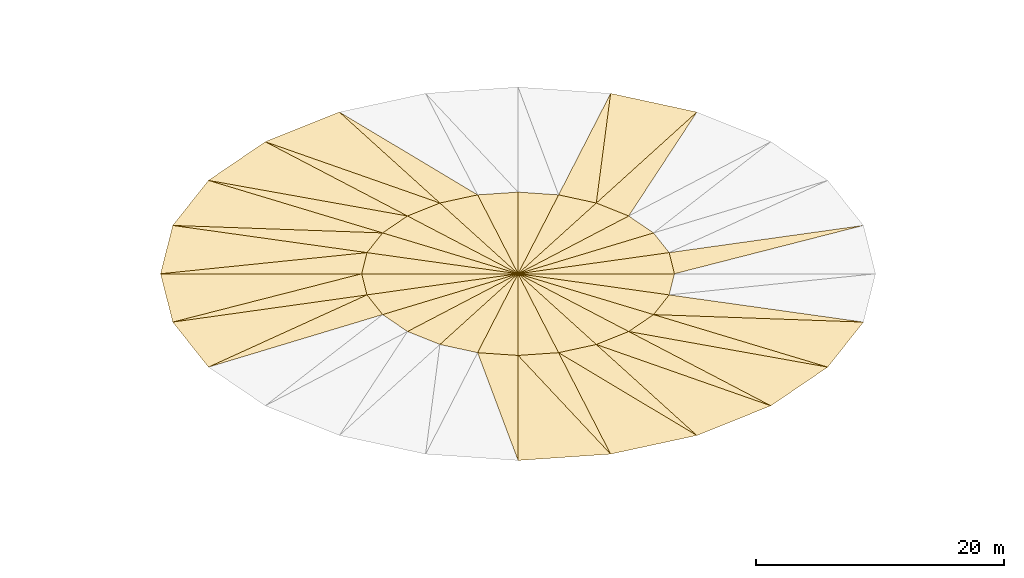
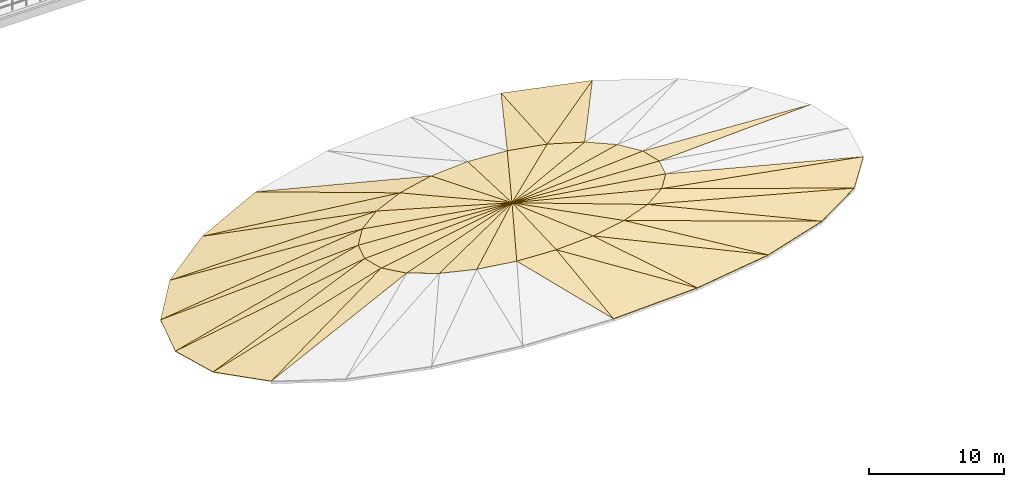
# One storey, part 49 of 50: 52 coverings.
"""IFC4 building model written with IfcOpenShell, lengths in metres."""

from ifc_helpers import new_model, si_unit, derived_unit, direction, frame, origin, place, context, subcontext, project, spatial, polygons, material, layer, layer_set, type_object, element, save


model = new_model("IFC4")

# Units and contexts
model_context = context("Model", 3, precision=1e-05, world=origin(), true_north=direction((0.0, 1.0)))
body_context = subcontext(model_context, "Body", "Model", "MODEL_VIEW")
ifc_project = project(units=[si_unit("LENGTHUNIT", "METRE"), si_unit("AREAUNIT", "SQUARE_METRE"), si_unit("VOLUMEUNIT", "CUBIC_METRE"), si_unit("PLANEANGLEUNIT", "RADIAN"), si_unit("MASSUNIT", "GRAM", prefix="KILO"), si_unit("THERMODYNAMICTEMPERATUREUNIT", "KELVIN"), derived_unit("THERMALTRANSMITTANCEUNIT", [(si_unit("POWERUNIT", "WATT"), 1), (si_unit("AREAUNIT", "SQUARE_METRE"), -1), (si_unit("THERMODYNAMICTEMPERATUREUNIT", "KELVIN"), -1)])], contexts=[model_context])

# Site, building, storey
site_placement = place(None, origin())
site = spatial("IfcSite", under=ifc_project, at=site_placement, CompositionType="ELEMENT")
building_placement = place(site_placement, origin())
building = spatial("IfcBuilding", under=site, at=building_placement, Name="Haiyu Intermodal Mobility Hub", CompositionType="ELEMENT")
storey_placement = place(building_placement, frame((0.0, 0.0, 25.10009765625)))
storey = spatial("IfcBuildingStorey", under=building, at=storey_placement, Name="L06", CompositionType="ELEMENT", Elevation=25.10009765625)

# Coverings
ifc_material = material(Name="PTFE tensile membrane")
ifc_layer = layer(ifc_material, 0.050048828125)
ifc_layer_set = layer_set([ifc_layer], Name="PTFE tensile membrane")
covering_type = type_object("IfcCoveringType", Name="COV-CV03", PredefinedType="ROOFING", material=ifc_layer_set)
covering_1_placement = place(storey_placement, origin())
element("IfcCovering", 1, at=covering_1_placement, inside=storey, type_object=covering_type, Name="PTFE Saddle Membrane 001", PredefinedType="ROOFING", context=body_context, shape_type="Tessellation", body=[
    polygons([(108.0, 64.0, 0.0498046875), (120.60009765625, 64.0, -0.589111328125), (120.1708984375, 65.702880859375, -0.564208984375), (108.0, 64.0, 0.099853515625), (120.60009765625, 64.0, -0.5390625), (120.1708984375, 65.702880859375, -0.51416015625)], [[[3, 2, 1]], [[4, 5, 6]], [[1, 2, 5, 4]], [[2, 3, 6, 5]], [[3, 1, 4, 6]]], closed=True),
])
covering_2_placement = place(storey_placement, origin())
element("IfcCovering", 2, at=covering_2_placement, inside=storey, type_object=covering_type, Name="PTFE Saddle Membrane 002", PredefinedType="ROOFING", context=body_context, shape_type="Tessellation", body=[
    polygons([(108.0, 64.0, 0.0498046875), (120.1708984375, 65.702880859375, -0.564208984375), (118.912109375, 67.2900390625, -0.4951171875), (108.0, 64.0, 0.099853515625), (120.1708984375, 65.702880859375, -0.51416015625), (118.912109375, 67.2900390625, -0.445068359375)], [[[3, 2, 1]], [[4, 5, 6]], [[1, 2, 5, 4]], [[2, 3, 6, 5]], [[3, 1, 4, 6]]], closed=True),
])
covering_3_placement = place(storey_placement, origin())
element("IfcCovering", 3, at=covering_3_placement, inside=storey, type_object=covering_type, Name="PTFE Saddle Membrane 003", PredefinedType="ROOFING", context=body_context, shape_type="Tessellation", body=[
    polygons([(108.0, 64.0, 0.0498046875), (118.912109375, 67.2900390625, -0.4951171875), (116.909912109375, 68.653076171875, -0.401123046875), (108.0, 64.0, 0.099853515625), (118.912109375, 67.2900390625, -0.445068359375), (116.909912109375, 68.653076171875, -0.35107421875)], [[[3, 2, 1]], [[4, 5, 6]], [[1, 2, 5, 4]], [[2, 3, 6, 5]], [[3, 1, 4, 6]]], closed=True),
])
covering_4_placement = place(storey_placement, origin())
element("IfcCovering", 4, at=covering_4_placement, inside=storey, type_object=covering_type, Name="PTFE Saddle Membrane 004", PredefinedType="ROOFING", context=body_context, shape_type="Tessellation", body=[
    polygons([(108.0, 64.0, 0.0498046875), (116.909912109375, 68.653076171875, -0.401123046875), (114.300048828125, 69.697998046875, -0.30712890625), (108.0, 64.0, 0.099853515625), (116.909912109375, 68.653076171875, -0.35107421875), (114.300048828125, 69.697998046875, -0.257080078125)], [[[3, 2, 1]], [[4, 5, 6]], [[1, 2, 5, 4]], [[2, 3, 6, 5]], [[3, 1, 4, 6]]], closed=True),
])
covering_5_placement = place(storey_placement, origin())
element("IfcCovering", 5, at=covering_5_placement, inside=storey, type_object=covering_type, Name="PTFE Saddle Membrane 005", PredefinedType="ROOFING", context=body_context, shape_type="Tessellation", body=[
    polygons([(108.0, 64.0, 0.0498046875), (114.300048828125, 69.697998046875, -0.30712890625), (111.260986328125, 70.35595703125, -0.238037109375), (108.0, 64.0, 0.099853515625), (114.300048828125, 69.697998046875, -0.257080078125), (111.260986328125, 70.35595703125, -0.18798828125)], [[[3, 2, 1]], [[4, 5, 6]], [[1, 2, 5, 4]], [[2, 3, 6, 5]], [[3, 1, 4, 6]]], closed=True),
])
covering_6_placement = place(storey_placement, origin())
element("IfcCovering", 6, at=covering_6_placement, inside=storey, type_object=covering_type, Name="PTFE Saddle Membrane 006", PredefinedType="ROOFING", context=body_context, shape_type="Tessellation", body=[
    polygons([(108.0, 64.0, 0.0498046875), (111.260986328125, 70.35595703125, -0.238037109375), (108.0, 70.580078125, -0.213134765625), (108.0, 64.0, 0.099853515625), (111.260986328125, 70.35595703125, -0.18798828125), (108.0, 70.580078125, -0.1630859375)], [[[3, 2, 1]], [[4, 5, 6]], [[1, 2, 5, 4]], [[2, 3, 6, 5]], [[3, 1, 4, 6]]], closed=True),
])
covering_7_placement = place(storey_placement, origin())
element("IfcCovering", 7, at=covering_7_placement, inside=storey, type_object=covering_type, Name="PTFE Saddle Membrane 007", PredefinedType="ROOFING", context=body_context, shape_type="Tessellation", body=[
    polygons([(108.0, 64.0, 0.0498046875), (108.0, 70.580078125, -0.213134765625), (104.739013671875, 70.35595703125, -0.238037109375), (108.0, 64.0, 0.099853515625), (108.0, 70.580078125, -0.1630859375), (104.739013671875, 70.35595703125, -0.18798828125)], [[[3, 2, 1]], [[4, 5, 6]], [[1, 2, 5, 4]], [[2, 3, 6, 5]], [[3, 1, 4, 6]]], closed=True),
])
covering_8_placement = place(storey_placement, origin())
element("IfcCovering", 8, at=covering_8_placement, inside=storey, type_object=covering_type, Name="PTFE Saddle Membrane 008", PredefinedType="ROOFING", context=body_context, shape_type="Tessellation", body=[
    polygons([(108.0, 64.0, 0.0498046875), (104.739013671875, 70.35595703125, -0.238037109375), (101.699951171875, 69.697998046875, -0.30712890625), (108.0, 64.0, 0.099853515625), (104.739013671875, 70.35595703125, -0.18798828125), (101.699951171875, 69.697998046875, -0.257080078125)], [[[3, 2, 1]], [[4, 5, 6]], [[1, 2, 5, 4]], [[2, 3, 6, 5]], [[3, 1, 4, 6]]], closed=True),
])
covering_9_placement = place(storey_placement, origin())
element("IfcCovering", 9, at=covering_9_placement, inside=storey, type_object=covering_type, Name="PTFE Saddle Membrane 009", PredefinedType="ROOFING", context=body_context, shape_type="Tessellation", body=[
    polygons([(108.0, 64.0, 0.0498046875), (101.699951171875, 69.697998046875, -0.30712890625), (99.090087890625, 68.653076171875, -0.401123046875), (108.0, 64.0, 0.099853515625), (101.699951171875, 69.697998046875, -0.257080078125), (99.090087890625, 68.653076171875, -0.35107421875)], [[[3, 2, 1]], [[4, 5, 6]], [[1, 2, 5, 4]], [[2, 3, 6, 5]], [[3, 1, 4, 6]]], closed=True),
])
covering_10_placement = place(storey_placement, origin())
element("IfcCovering", 10, at=covering_10_placement, inside=storey, type_object=covering_type, Name="PTFE Saddle Membrane 010", PredefinedType="ROOFING", context=body_context, shape_type="Tessellation", body=[
    polygons([(108.0, 64.0, 0.0498046875), (99.090087890625, 68.653076171875, -0.401123046875), (97.087890625, 67.2900390625, -0.4951171875), (108.0, 64.0, 0.099853515625), (99.090087890625, 68.653076171875, -0.35107421875), (97.087890625, 67.2900390625, -0.445068359375)], [[[3, 2, 1]], [[4, 5, 6]], [[1, 2, 5, 4]], [[2, 3, 6, 5]], [[3, 1, 4, 6]]], closed=True),
])
covering_11_placement = place(storey_placement, origin())
element("IfcCovering", 11, at=covering_11_placement, inside=storey, type_object=covering_type, Name="PTFE Saddle Membrane 011", PredefinedType="ROOFING", context=body_context, shape_type="Tessellation", body=[
    polygons([(108.0, 64.0, 0.0498046875), (97.087890625, 67.2900390625, -0.4951171875), (95.8291015625, 65.702880859375, -0.564208984375), (108.0, 64.0, 0.099853515625), (97.087890625, 67.2900390625, -0.445068359375), (95.8291015625, 65.702880859375, -0.51416015625)], [[[3, 2, 1]], [[4, 5, 6]], [[1, 2, 5, 4]], [[2, 3, 6, 5]], [[3, 1, 4, 6]]], closed=True),
])
covering_12_placement = place(storey_placement, origin())
element("IfcCovering", 12, at=covering_12_placement, inside=storey, type_object=covering_type, Name="PTFE Saddle Membrane 012", PredefinedType="ROOFING", context=body_context, shape_type="Tessellation", body=[
    polygons([(108.0, 64.0, 0.0498046875), (95.8291015625, 65.702880859375, -0.564208984375), (95.39990234375, 64.0, -0.589111328125), (108.0, 64.0, 0.099853515625), (95.8291015625, 65.702880859375, -0.51416015625), (95.39990234375, 64.0, -0.5390625)], [[[3, 2, 1]], [[4, 5, 6]], [[1, 2, 5, 4]], [[2, 3, 6, 5]], [[3, 1, 4, 6]]], closed=True),
])
covering_13_placement = place(storey_placement, origin())
element("IfcCovering", 13, at=covering_13_placement, inside=storey, type_object=covering_type, Name="PTFE Saddle Membrane 013", PredefinedType="ROOFING", context=body_context, shape_type="Tessellation", body=[
    polygons([(108.0, 64.0, 0.0498046875), (95.39990234375, 64.0, -0.589111328125), (95.8291015625, 62.297119140625, -0.564208984375), (108.0, 64.0, 0.099853515625), (95.39990234375, 64.0, -0.5390625), (95.8291015625, 62.297119140625, -0.51416015625)], [[[3, 2, 1]], [[4, 5, 6]], [[1, 2, 5, 4]], [[2, 3, 6, 5]], [[3, 1, 4, 6]]], closed=True),
])
covering_14_placement = place(storey_placement, origin())
element("IfcCovering", 14, at=covering_14_placement, inside=storey, type_object=covering_type, Name="PTFE Saddle Membrane 014", PredefinedType="ROOFING", context=body_context, shape_type="Tessellation", body=[
    polygons([(108.0, 64.0, 0.0498046875), (95.8291015625, 62.297119140625, -0.564208984375), (97.087890625, 60.7099609375, -0.4951171875), (108.0, 64.0, 0.099853515625), (95.8291015625, 62.297119140625, -0.51416015625), (97.087890625, 60.7099609375, -0.445068359375)], [[[3, 2, 1]], [[4, 5, 6]], [[1, 2, 5, 4]], [[2, 3, 6, 5]], [[3, 1, 4, 6]]], closed=True),
])
covering_15_placement = place(storey_placement, origin())
element("IfcCovering", 15, at=covering_15_placement, inside=storey, type_object=covering_type, Name="PTFE Saddle Membrane 015", PredefinedType="ROOFING", context=body_context, shape_type="Tessellation", body=[
    polygons([(108.0, 64.0, 0.0498046875), (97.087890625, 60.7099609375, -0.4951171875), (99.090087890625, 59.346923828125, -0.401123046875), (108.0, 64.0, 0.099853515625), (97.087890625, 60.7099609375, -0.445068359375), (99.090087890625, 59.346923828125, -0.35107421875)], [[[3, 2, 1]], [[4, 5, 6]], [[1, 2, 5, 4]], [[2, 3, 6, 5]], [[3, 1, 4, 6]]], closed=True),
])
covering_16_placement = place(storey_placement, origin())
element("IfcCovering", 16, at=covering_16_placement, inside=storey, type_object=covering_type, Name="PTFE Saddle Membrane 016", PredefinedType="ROOFING", context=body_context, shape_type="Tessellation", body=[
    polygons([(108.0, 64.0, 0.0498046875), (99.090087890625, 59.346923828125, -0.401123046875), (101.699951171875, 58.302001953125, -0.30712890625), (108.0, 64.0, 0.099853515625), (99.090087890625, 59.346923828125, -0.35107421875), (101.699951171875, 58.302001953125, -0.257080078125)], [[[3, 2, 1]], [[4, 5, 6]], [[1, 2, 5, 4]], [[2, 3, 6, 5]], [[3, 1, 4, 6]]], closed=True),
])
covering_17_placement = place(storey_placement, origin())
element("IfcCovering", 17, at=covering_17_placement, inside=storey, type_object=covering_type, Name="PTFE Saddle Membrane 017", PredefinedType="ROOFING", context=body_context, shape_type="Tessellation", body=[
    polygons([(108.0, 64.0, 0.0498046875), (101.699951171875, 58.302001953125, -0.30712890625), (104.739013671875, 57.64404296875, -0.238037109375), (108.0, 64.0, 0.099853515625), (101.699951171875, 58.302001953125, -0.257080078125), (104.739013671875, 57.64404296875, -0.18798828125)], [[[3, 2, 1]], [[4, 5, 6]], [[1, 2, 5, 4]], [[2, 3, 6, 5]], [[3, 1, 4, 6]]], closed=True),
])
covering_18_placement = place(storey_placement, origin())
element("IfcCovering", 18, at=covering_18_placement, inside=storey, type_object=covering_type, Name="PTFE Saddle Membrane 018", PredefinedType="ROOFING", context=body_context, shape_type="Tessellation", body=[
    polygons([(108.0, 64.0, 0.0498046875), (104.739013671875, 57.64404296875, -0.238037109375), (108.0, 57.419921875, -0.213134765625), (108.0, 64.0, 0.099853515625), (104.739013671875, 57.64404296875, -0.18798828125), (108.0, 57.419921875, -0.1630859375)], [[[3, 2, 1]], [[4, 5, 6]], [[1, 2, 5, 4]], [[2, 3, 6, 5]], [[3, 1, 4, 6]]], closed=True),
])
covering_19_placement = place(storey_placement, origin())
element("IfcCovering", 19, at=covering_19_placement, inside=storey, type_object=covering_type, Name="PTFE Saddle Membrane 019", PredefinedType="ROOFING", context=body_context, shape_type="Tessellation", body=[
    polygons([(108.0, 64.0, 0.0498046875), (108.0, 57.419921875, -0.213134765625), (111.260986328125, 57.64404296875, -0.238037109375), (108.0, 64.0, 0.099853515625), (108.0, 57.419921875, -0.1630859375), (111.260986328125, 57.64404296875, -0.18798828125)], [[[3, 2, 1]], [[4, 5, 6]], [[1, 2, 5, 4]], [[2, 3, 6, 5]], [[3, 1, 4, 6]]], closed=True),
])
covering_20_placement = place(storey_placement, origin())
element("IfcCovering", 20, at=covering_20_placement, inside=storey, type_object=covering_type, Name="PTFE Saddle Membrane 020", PredefinedType="ROOFING", context=body_context, shape_type="Tessellation", body=[
    polygons([(108.0, 64.0, 0.0498046875), (111.260986328125, 57.64404296875, -0.238037109375), (114.300048828125, 58.302001953125, -0.30712890625), (108.0, 64.0, 0.099853515625), (111.260986328125, 57.64404296875, -0.18798828125), (114.300048828125, 58.302001953125, -0.257080078125)], [[[3, 2, 1]], [[4, 5, 6]], [[1, 2, 5, 4]], [[2, 3, 6, 5]], [[3, 1, 4, 6]]], closed=True),
])
covering_21_placement = place(storey_placement, origin())
element("IfcCovering", 21, at=covering_21_placement, inside=storey, type_object=covering_type, Name="PTFE Saddle Membrane 021", PredefinedType="ROOFING", context=body_context, shape_type="Tessellation", body=[
    polygons([(108.0, 64.0, 0.0498046875), (114.300048828125, 58.302001953125, -0.30712890625), (116.909912109375, 59.346923828125, -0.401123046875), (108.0, 64.0, 0.099853515625), (114.300048828125, 58.302001953125, -0.257080078125), (116.909912109375, 59.346923828125, -0.35107421875)], [[[3, 2, 1]], [[4, 5, 6]], [[1, 2, 5, 4]], [[2, 3, 6, 5]], [[3, 1, 4, 6]]], closed=True),
])
covering_22_placement = place(storey_placement, origin())
element("IfcCovering", 22, at=covering_22_placement, inside=storey, type_object=covering_type, Name="PTFE Saddle Membrane 022", PredefinedType="ROOFING", context=body_context, shape_type="Tessellation", body=[
    polygons([(108.0, 64.0, 0.0498046875), (116.909912109375, 59.346923828125, -0.401123046875), (118.912109375, 60.7099609375, -0.4951171875), (108.0, 64.0, 0.099853515625), (116.909912109375, 59.346923828125, -0.35107421875), (118.912109375, 60.7099609375, -0.445068359375)], [[[3, 2, 1]], [[4, 5, 6]], [[1, 2, 5, 4]], [[2, 3, 6, 5]], [[3, 1, 4, 6]]], closed=True),
])
covering_23_placement = place(storey_placement, origin())
element("IfcCovering", 23, at=covering_23_placement, inside=storey, type_object=covering_type, Name="PTFE Saddle Membrane 023", PredefinedType="ROOFING", context=body_context, shape_type="Tessellation", body=[
    polygons([(108.0, 64.0, 0.0498046875), (118.912109375, 60.7099609375, -0.4951171875), (120.1708984375, 62.297119140625, -0.564208984375), (108.0, 64.0, 0.099853515625), (118.912109375, 60.7099609375, -0.445068359375), (120.1708984375, 62.297119140625, -0.51416015625)], [[[3, 2, 1]], [[4, 5, 6]], [[1, 2, 5, 4]], [[2, 3, 6, 5]], [[3, 1, 4, 6]]], closed=True),
])
covering_24_placement = place(storey_placement, origin())
element("IfcCovering", 24, at=covering_24_placement, inside=storey, type_object=covering_type, Name="PTFE Saddle Membrane 024", PredefinedType="ROOFING", context=body_context, shape_type="Tessellation", body=[
    polygons([(108.0, 64.0, 0.0498046875), (120.1708984375, 62.297119140625, -0.564208984375), (120.60009765625, 64.0, -0.589111328125), (108.0, 64.0, 0.099853515625), (120.1708984375, 62.297119140625, -0.51416015625), (120.60009765625, 64.0, -0.5390625)], [[[3, 2, 1]], [[4, 5, 6]], [[1, 2, 5, 4]], [[2, 3, 6, 5]], [[3, 1, 4, 6]]], closed=True),
])
covering_25_placement = place(storey_placement, origin())
element("IfcCovering", 25, at=covering_25_placement, inside=storey, type_object=covering_type, Name="PTFE Saddle Membrane 026", PredefinedType="ROOFING", context=body_context, shape_type="Tessellation", body=[
    polygons([(120.60009765625, 64.0, -0.589111328125), (135.819091796875, 67.89306640625, -3.156982421875), (120.1708984375, 65.702880859375, -0.564208984375), (120.60009765625, 64.0, -0.5390625), (135.819091796875, 67.89306640625, -3.107177734375), (120.1708984375, 65.702880859375, -0.51416015625)], [[[3, 2, 1]], [[4, 5, 6]], [[1, 2, 5, 4]], [[2, 3, 6, 5]], [[3, 1, 4, 6]]], closed=True),
])
covering_26_placement = place(storey_placement, origin())
element("IfcCovering", 26, at=covering_26_placement, inside=storey, type_object=covering_type, Name="PTFE Saddle Membrane 032", PredefinedType="ROOFING", context=body_context, shape_type="Tessellation", body=[
    polygons([(116.909912109375, 68.653076171875, -0.401123046875), (122.39990234375, 77.02490234375, -1.814208984375), (114.300048828125, 69.697998046875, -0.30712890625), (116.909912109375, 68.653076171875, -0.35107421875), (122.39990234375, 77.02490234375, -1.76416015625), (114.300048828125, 69.697998046875, -0.257080078125)], [[[3, 2, 1]], [[4, 5, 6]], [[1, 2, 5, 4]], [[2, 3, 6, 5]], [[3, 1, 4, 6]]], closed=True),
])
covering_27_placement = place(storey_placement, origin())
element("IfcCovering", 27, at=covering_27_placement, inside=storey, type_object=covering_type, Name="PTFE Saddle Membrane 033", PredefinedType="ROOFING", context=body_context, shape_type="Tessellation", body=[
    polygons([(114.300048828125, 69.697998046875, -0.30712890625), (122.39990234375, 77.02490234375, -1.814208984375), (115.4541015625, 78.528076171875, -1.4541015625), (114.300048828125, 69.697998046875, -0.257080078125), (122.39990234375, 77.02490234375, -1.76416015625), (115.4541015625, 78.528076171875, -1.404052734375)], [[[3, 2, 1]], [[4, 5, 6]], [[1, 2, 5, 4]], [[2, 3, 6, 5]], [[3, 1, 4, 6]]], closed=True),
])
covering_28_placement = place(storey_placement, origin())
element("IfcCovering", 28, at=covering_28_placement, inside=storey, type_object=covering_type, Name="PTFE Saddle Membrane 034", PredefinedType="ROOFING", context=body_context, shape_type="Tessellation", body=[
    polygons([(114.300048828125, 69.697998046875, -0.30712890625), (115.4541015625, 78.528076171875, -1.4541015625), (111.260986328125, 70.35595703125, -0.238037109375), (114.300048828125, 69.697998046875, -0.257080078125), (115.4541015625, 78.528076171875, -1.404052734375), (111.260986328125, 70.35595703125, -0.18798828125)], [[[3, 2, 1]], [[4, 5, 6]], [[1, 2, 5, 4]], [[2, 3, 6, 5]], [[3, 1, 4, 6]]], closed=True),
])
covering_29_placement = place(storey_placement, origin())
element("IfcCovering", 29, at=covering_29_placement, inside=storey, type_object=covering_type, Name="PTFE Saddle Membrane 040", PredefinedType="ROOFING", context=body_context, shape_type="Tessellation", body=[
    polygons([(104.739013671875, 70.35595703125, -0.238037109375), (93.60009765625, 77.02490234375, -1.814208984375), (101.699951171875, 69.697998046875, -0.30712890625), (104.739013671875, 70.35595703125, -0.18798828125), (93.60009765625, 77.02490234375, -1.76416015625), (101.699951171875, 69.697998046875, -0.257080078125)], [[[3, 2, 1]], [[4, 5, 6]], [[1, 2, 5, 4]], [[2, 3, 6, 5]], [[3, 1, 4, 6]]], closed=True),
])
covering_30_placement = place(storey_placement, origin())
element("IfcCovering", 30, at=covering_30_placement, inside=storey, type_object=covering_type, Name="PTFE Saddle Membrane 041", PredefinedType="ROOFING", context=body_context, shape_type="Tessellation", body=[
    polygons([(101.699951171875, 69.697998046875, -0.30712890625), (93.60009765625, 77.02490234375, -1.814208984375), (87.635009765625, 74.635009765625, -2.30517578125), (101.699951171875, 69.697998046875, -0.257080078125), (93.60009765625, 77.02490234375, -1.76416015625), (87.635009765625, 74.635009765625, -2.255126953125)], [[[3, 2, 1]], [[4, 5, 6]], [[1, 2, 5, 4]], [[2, 3, 6, 5]], [[3, 1, 4, 6]]], closed=True),
])
covering_31_placement = place(storey_placement, origin())
element("IfcCovering", 31, at=covering_31_placement, inside=storey, type_object=covering_type, Name="PTFE Saddle Membrane 042", PredefinedType="ROOFING", context=body_context, shape_type="Tessellation", body=[
    polygons([(101.699951171875, 69.697998046875, -0.30712890625), (87.635009765625, 74.635009765625, -2.30517578125), (99.090087890625, 68.653076171875, -0.401123046875), (101.699951171875, 69.697998046875, -0.257080078125), (87.635009765625, 74.635009765625, -2.255126953125), (99.090087890625, 68.653076171875, -0.35107421875)], [[[3, 2, 1]], [[4, 5, 6]], [[1, 2, 5, 4]], [[2, 3, 6, 5]], [[3, 1, 4, 6]]], closed=True),
])
covering_32_placement = place(storey_placement, origin())
element("IfcCovering", 32, at=covering_32_placement, inside=storey, type_object=covering_type, Name="PTFE Saddle Membrane 043", PredefinedType="ROOFING", context=body_context, shape_type="Tessellation", body=[
    polygons([(99.090087890625, 68.653076171875, -0.401123046875), (87.635009765625, 74.635009765625, -2.30517578125), (83.05810546875, 71.52001953125, -2.797119140625), (99.090087890625, 68.653076171875, -0.35107421875), (87.635009765625, 74.635009765625, -2.255126953125), (83.05810546875, 71.52001953125, -2.7470703125)], [[[3, 2, 1]], [[4, 5, 6]], [[1, 2, 5, 4]], [[2, 3, 6, 5]], [[3, 1, 4, 6]]], closed=True),
])
covering_33_placement = place(storey_placement, origin())
element("IfcCovering", 33, at=covering_33_placement, inside=storey, type_object=covering_type, Name="PTFE Saddle Membrane 044", PredefinedType="ROOFING", context=body_context, shape_type="Tessellation", body=[
    polygons([(99.090087890625, 68.653076171875, -0.401123046875), (83.05810546875, 71.52001953125, -2.797119140625), (97.087890625, 67.2900390625, -0.4951171875), (99.090087890625, 68.653076171875, -0.35107421875), (83.05810546875, 71.52001953125, -2.7470703125), (97.087890625, 67.2900390625, -0.445068359375)], [[[3, 2, 1]], [[4, 5, 6]], [[1, 2, 5, 4]], [[2, 3, 6, 5]], [[3, 1, 4, 6]]], closed=True),
])
covering_34_placement = place(storey_placement, origin())
element("IfcCovering", 34, at=covering_34_placement, inside=storey, type_object=covering_type, Name="PTFE Saddle Membrane 045", PredefinedType="ROOFING", context=body_context, shape_type="Tessellation", body=[
    polygons([(97.087890625, 67.2900390625, -0.4951171875), (83.05810546875, 71.52001953125, -2.797119140625), (80.180908203125, 67.89306640625, -3.156982421875), (97.087890625, 67.2900390625, -0.445068359375), (83.05810546875, 71.52001953125, -2.7470703125), (80.180908203125, 67.89306640625, -3.107177734375)], [[[3, 2, 1]], [[4, 5, 6]], [[1, 2, 5, 4]], [[2, 3, 6, 5]], [[3, 1, 4, 6]]], closed=True),
])
covering_35_placement = place(storey_placement, origin())
element("IfcCovering", 35, at=covering_35_placement, inside=storey, type_object=covering_type, Name="PTFE Saddle Membrane 046", PredefinedType="ROOFING", context=body_context, shape_type="Tessellation", body=[
    polygons([(97.087890625, 67.2900390625, -0.4951171875), (80.180908203125, 67.89306640625, -3.156982421875), (95.8291015625, 65.702880859375, -0.564208984375), (97.087890625, 67.2900390625, -0.445068359375), (80.180908203125, 67.89306640625, -3.107177734375), (95.8291015625, 65.702880859375, -0.51416015625)], [[[3, 2, 1]], [[4, 5, 6]], [[1, 2, 5, 4]], [[2, 3, 6, 5]], [[3, 1, 4, 6]]], closed=True),
])
covering_36_placement = place(storey_placement, origin())
element("IfcCovering", 36, at=covering_36_placement, inside=storey, type_object=covering_type, Name="PTFE Saddle Membrane 047", PredefinedType="ROOFING", context=body_context, shape_type="Tessellation", body=[
    polygons([(95.8291015625, 65.702880859375, -0.564208984375), (80.180908203125, 67.89306640625, -3.156982421875), (79.199951171875, 64.0, -3.2880859375), (95.8291015625, 65.702880859375, -0.51416015625), (80.180908203125, 67.89306640625, -3.107177734375), (79.199951171875, 64.0, -3.238037109375)], [[[3, 2, 1]], [[4, 5, 6]], [[1, 2, 5, 4]], [[2, 3, 6, 5]], [[3, 1, 4, 6]]], closed=True),
])
covering_37_placement = place(storey_placement, origin())
element("IfcCovering", 37, at=covering_37_placement, inside=storey, type_object=covering_type, Name="PTFE Saddle Membrane 048", PredefinedType="ROOFING", context=body_context, shape_type="Tessellation", body=[
    polygons([(95.8291015625, 65.702880859375, -0.564208984375), (79.199951171875, 64.0, -3.2880859375), (95.39990234375, 64.0, -0.589111328125), (95.8291015625, 65.702880859375, -0.51416015625), (79.199951171875, 64.0, -3.238037109375), (95.39990234375, 64.0, -0.5390625)], [[[3, 2, 1]], [[4, 5, 6]], [[1, 2, 5, 4]], [[2, 3, 6, 5]], [[3, 1, 4, 6]]], closed=True),
])
covering_38_placement = place(storey_placement, origin())
element("IfcCovering", 38, at=covering_38_placement, inside=storey, type_object=covering_type, Name="PTFE Saddle Membrane 049", PredefinedType="ROOFING", context=body_context, shape_type="Tessellation", body=[
    polygons([(95.39990234375, 64.0, -0.589111328125), (79.199951171875, 64.0, -3.2880859375), (80.180908203125, 60.10693359375, -3.156982421875), (95.39990234375, 64.0, -0.5390625), (79.199951171875, 64.0, -3.238037109375), (80.180908203125, 60.10693359375, -3.107177734375)], [[[3, 2, 1]], [[4, 5, 6]], [[1, 2, 5, 4]], [[2, 3, 6, 5]], [[3, 1, 4, 6]]], closed=True),
])
covering_39_placement = place(storey_placement, origin())
element("IfcCovering", 39, at=covering_39_placement, inside=storey, type_object=covering_type, Name="PTFE Saddle Membrane 050", PredefinedType="ROOFING", context=body_context, shape_type="Tessellation", body=[
    polygons([(95.39990234375, 64.0, -0.589111328125), (80.180908203125, 60.10693359375, -3.156982421875), (95.8291015625, 62.297119140625, -0.564208984375), (95.39990234375, 64.0, -0.5390625), (80.180908203125, 60.10693359375, -3.107177734375), (95.8291015625, 62.297119140625, -0.51416015625)], [[[3, 2, 1]], [[4, 5, 6]], [[1, 2, 5, 4]], [[2, 3, 6, 5]], [[3, 1, 4, 6]]], closed=True),
])
covering_40_placement = place(storey_placement, origin())
element("IfcCovering", 40, at=covering_40_placement, inside=storey, type_object=covering_type, Name="PTFE Saddle Membrane 051", PredefinedType="ROOFING", context=body_context, shape_type="Tessellation", body=[
    polygons([(95.8291015625, 62.297119140625, -0.564208984375), (80.180908203125, 60.10693359375, -3.156982421875), (83.05810546875, 56.47998046875, -2.797119140625), (95.8291015625, 62.297119140625, -0.51416015625), (80.180908203125, 60.10693359375, -3.107177734375), (83.05810546875, 56.47998046875, -2.7470703125)], [[[3, 2, 1]], [[4, 5, 6]], [[1, 2, 5, 4]], [[2, 3, 6, 5]], [[3, 1, 4, 6]]], closed=True),
])
covering_41_placement = place(storey_placement, origin())
element("IfcCovering", 41, at=covering_41_placement, inside=storey, type_object=covering_type, Name="PTFE Saddle Membrane 052", PredefinedType="ROOFING", context=body_context, shape_type="Tessellation", body=[
    polygons([(95.8291015625, 62.297119140625, -0.564208984375), (83.05810546875, 56.47998046875, -2.797119140625), (97.087890625, 60.7099609375, -0.4951171875), (95.8291015625, 62.297119140625, -0.51416015625), (83.05810546875, 56.47998046875, -2.7470703125), (97.087890625, 60.7099609375, -0.445068359375)], [[[3, 2, 1]], [[4, 5, 6]], [[1, 2, 5, 4]], [[2, 3, 6, 5]], [[3, 1, 4, 6]]], closed=True),
])
covering_42_placement = place(storey_placement, origin())
element("IfcCovering", 42, at=covering_42_placement, inside=storey, type_object=covering_type, Name="PTFE Saddle Membrane 060", PredefinedType="ROOFING", context=body_context, shape_type="Tessellation", body=[
    polygons([(104.739013671875, 57.64404296875, -0.238037109375), (108.0, 48.9599609375, -1.322021484375), (108.0, 57.419921875, -0.213134765625), (104.739013671875, 57.64404296875, -0.18798828125), (108.0, 48.9599609375, -1.272216796875), (108.0, 57.419921875, -0.1630859375)], [[[3, 2, 1]], [[4, 5, 6]], [[1, 2, 5, 4]], [[2, 3, 6, 5]], [[3, 1, 4, 6]]], closed=True),
])
covering_43_placement = place(storey_placement, origin())
element("IfcCovering", 43, at=covering_43_placement, inside=storey, type_object=covering_type, Name="PTFE Saddle Membrane 061", PredefinedType="ROOFING", context=body_context, shape_type="Tessellation", body=[
    polygons([(108.0, 57.419921875, -0.213134765625), (108.0, 48.9599609375, -1.322021484375), (115.4541015625, 49.471923828125, -1.4541015625), (108.0, 57.419921875, -0.1630859375), (108.0, 48.9599609375, -1.272216796875), (115.4541015625, 49.471923828125, -1.404052734375)], [[[3, 2, 1]], [[4, 5, 6]], [[1, 2, 5, 4]], [[2, 3, 6, 5]], [[3, 1, 4, 6]]], closed=True),
])
covering_44_placement = place(storey_placement, origin())
element("IfcCovering", 44, at=covering_44_placement, inside=storey, type_object=covering_type, Name="PTFE Saddle Membrane 062", PredefinedType="ROOFING", context=body_context, shape_type="Tessellation", body=[
    polygons([(108.0, 57.419921875, -0.213134765625), (115.4541015625, 49.471923828125, -1.4541015625), (111.260986328125, 57.64404296875, -0.238037109375), (108.0, 57.419921875, -0.1630859375), (115.4541015625, 49.471923828125, -1.404052734375), (111.260986328125, 57.64404296875, -0.18798828125)], [[[3, 2, 1]], [[4, 5, 6]], [[1, 2, 5, 4]], [[2, 3, 6, 5]], [[3, 1, 4, 6]]], closed=True),
])
covering_45_placement = place(storey_placement, origin())
element("IfcCovering", 45, at=covering_45_placement, inside=storey, type_object=covering_type, Name="PTFE Saddle Membrane 063", PredefinedType="ROOFING", context=body_context, shape_type="Tessellation", body=[
    polygons([(111.260986328125, 57.64404296875, -0.238037109375), (115.4541015625, 49.471923828125, -1.4541015625), (122.39990234375, 50.97509765625, -1.814208984375), (111.260986328125, 57.64404296875, -0.18798828125), (115.4541015625, 49.471923828125, -1.404052734375), (122.39990234375, 50.97509765625, -1.76416015625)], [[[3, 2, 1]], [[4, 5, 6]], [[1, 2, 5, 4]], [[2, 3, 6, 5]], [[3, 1, 4, 6]]], closed=True),
])
covering_46_placement = place(storey_placement, origin())
element("IfcCovering", 46, at=covering_46_placement, inside=storey, type_object=covering_type, Name="PTFE Saddle Membrane 064", PredefinedType="ROOFING", context=body_context, shape_type="Tessellation", body=[
    polygons([(111.260986328125, 57.64404296875, -0.238037109375), (122.39990234375, 50.97509765625, -1.814208984375), (114.300048828125, 58.302001953125, -0.30712890625), (111.260986328125, 57.64404296875, -0.18798828125), (122.39990234375, 50.97509765625, -1.76416015625), (114.300048828125, 58.302001953125, -0.257080078125)], [[[3, 2, 1]], [[4, 5, 6]], [[1, 2, 5, 4]], [[2, 3, 6, 5]], [[3, 1, 4, 6]]], closed=True),
])
covering_47_placement = place(storey_placement, origin())
element("IfcCovering", 47, at=covering_47_placement, inside=storey, type_object=covering_type, Name="PTFE Saddle Membrane 065", PredefinedType="ROOFING", context=body_context, shape_type="Tessellation", body=[
    polygons([(114.300048828125, 58.302001953125, -0.30712890625), (122.39990234375, 50.97509765625, -1.814208984375), (128.364990234375, 53.364990234375, -2.30517578125), (114.300048828125, 58.302001953125, -0.257080078125), (122.39990234375, 50.97509765625, -1.76416015625), (128.364990234375, 53.364990234375, -2.255126953125)], [[[3, 2, 1]], [[4, 5, 6]], [[1, 2, 5, 4]], [[2, 3, 6, 5]], [[3, 1, 4, 6]]], closed=True),
])
covering_48_placement = place(storey_placement, origin())
element("IfcCovering", 48, at=covering_48_placement, inside=storey, type_object=covering_type, Name="PTFE Saddle Membrane 066", PredefinedType="ROOFING", context=body_context, shape_type="Tessellation", body=[
    polygons([(114.300048828125, 58.302001953125, -0.30712890625), (128.364990234375, 53.364990234375, -2.30517578125), (116.909912109375, 59.346923828125, -0.401123046875), (114.300048828125, 58.302001953125, -0.257080078125), (128.364990234375, 53.364990234375, -2.255126953125), (116.909912109375, 59.346923828125, -0.35107421875)], [[[3, 2, 1]], [[4, 5, 6]], [[1, 2, 5, 4]], [[2, 3, 6, 5]], [[3, 1, 4, 6]]], closed=True),
])
covering_49_placement = place(storey_placement, origin())
element("IfcCovering", 49, at=covering_49_placement, inside=storey, type_object=covering_type, Name="PTFE Saddle Membrane 067", PredefinedType="ROOFING", context=body_context, shape_type="Tessellation", body=[
    polygons([(116.909912109375, 59.346923828125, -0.401123046875), (128.364990234375, 53.364990234375, -2.30517578125), (132.94189453125, 56.47998046875, -2.797119140625), (116.909912109375, 59.346923828125, -0.35107421875), (128.364990234375, 53.364990234375, -2.255126953125), (132.94189453125, 56.47998046875, -2.7470703125)], [[[3, 2, 1]], [[4, 5, 6]], [[1, 2, 5, 4]], [[2, 3, 6, 5]], [[3, 1, 4, 6]]], closed=True),
])
covering_50_placement = place(storey_placement, origin())
element("IfcCovering", 50, at=covering_50_placement, inside=storey, type_object=covering_type, Name="PTFE Saddle Membrane 068", PredefinedType="ROOFING", context=body_context, shape_type="Tessellation", body=[
    polygons([(116.909912109375, 59.346923828125, -0.401123046875), (132.94189453125, 56.47998046875, -2.797119140625), (118.912109375, 60.7099609375, -0.4951171875), (116.909912109375, 59.346923828125, -0.35107421875), (132.94189453125, 56.47998046875, -2.7470703125), (118.912109375, 60.7099609375, -0.445068359375)], [[[3, 2, 1]], [[4, 5, 6]], [[1, 2, 5, 4]], [[2, 3, 6, 5]], [[3, 1, 4, 6]]], closed=True),
])
covering_51_placement = place(storey_placement, origin())
element("IfcCovering", 51, at=covering_51_placement, inside=storey, type_object=covering_type, Name="PTFE Saddle Membrane 069", PredefinedType="ROOFING", context=body_context, shape_type="Tessellation", body=[
    polygons([(118.912109375, 60.7099609375, -0.4951171875), (132.94189453125, 56.47998046875, -2.797119140625), (135.819091796875, 60.10693359375, -3.156982421875), (118.912109375, 60.7099609375, -0.445068359375), (132.94189453125, 56.47998046875, -2.7470703125), (135.819091796875, 60.10693359375, -3.107177734375)], [[[3, 2, 1]], [[4, 5, 6]], [[1, 2, 5, 4]], [[2, 3, 6, 5]], [[3, 1, 4, 6]]], closed=True),
])
covering_52_placement = place(storey_placement, origin())
element("IfcCovering", 52, at=covering_52_placement, inside=storey, type_object=covering_type, Name="PTFE Saddle Membrane 070", PredefinedType="ROOFING", context=body_context, shape_type="Tessellation", body=[
    polygons([(118.912109375, 60.7099609375, -0.4951171875), (135.819091796875, 60.10693359375, -3.156982421875), (120.1708984375, 62.297119140625, -0.564208984375), (118.912109375, 60.7099609375, -0.445068359375), (135.819091796875, 60.10693359375, -3.107177734375), (120.1708984375, 62.297119140625, -0.51416015625)], [[[3, 2, 1]], [[4, 5, 6]], [[1, 2, 5, 4]], [[2, 3, 6, 5]], [[3, 1, 4, 6]]], closed=True),
])

save(model, "model.ifc")
